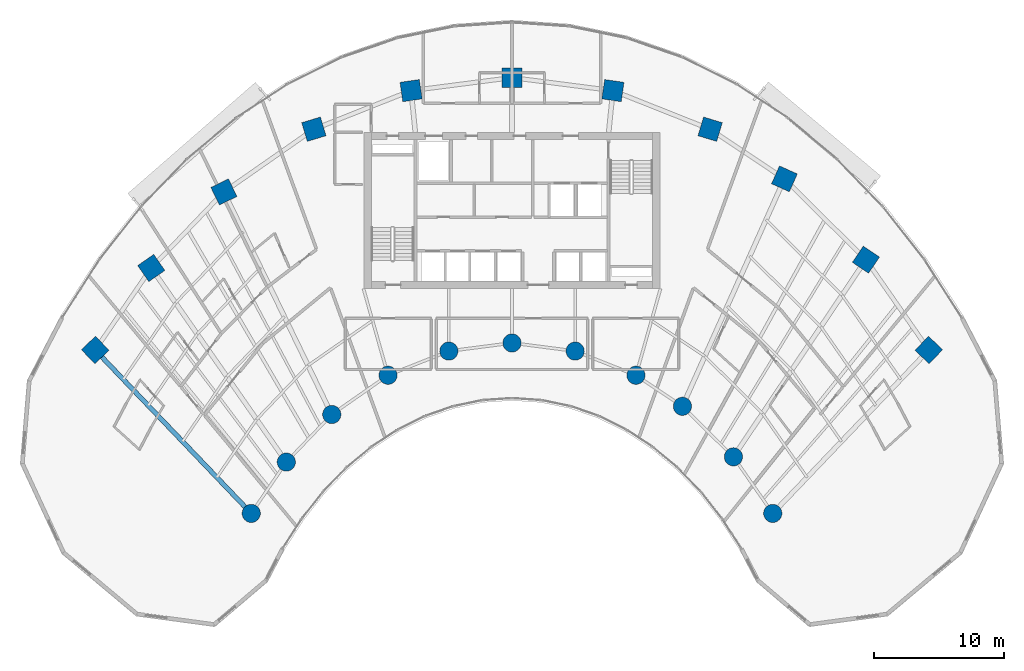
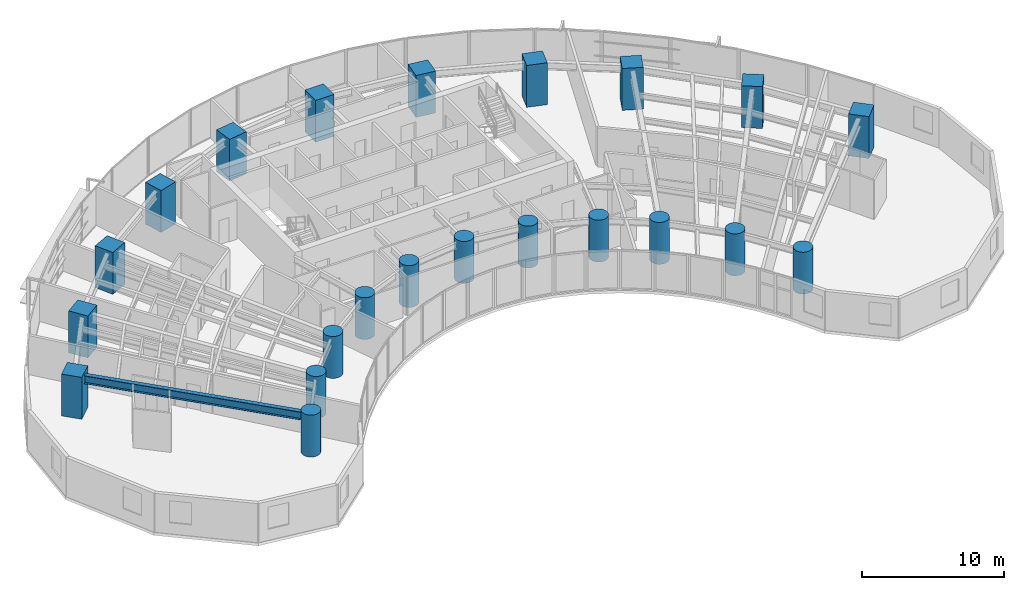
# One storey, part 1 of 17: 22 columns, 1 beam.
"""IFC4 building model written with IfcOpenShell, lengths in metres."""

from ifc_helpers import new_model, si_unit, direction, frame, origin, origin_2d, place, context, subcontext, project, spatial, rectangle, circle, i_section, extrude, source, transform, mapped, material, material_profile, profile_set, type_object, type_shapes, element, save


model = new_model("IFC4")

# Units and contexts
model_context = context("Model", 3, precision=1e-05, world=origin(), true_north=direction((0.0, 1.0)))
body_context = subcontext(model_context, "Body", "Model", "MODEL_VIEW")
ifc_project = project(units=[si_unit("LENGTHUNIT", "METRE"), si_unit("AREAUNIT", "SQUARE_METRE"), si_unit("VOLUMEUNIT", "CUBIC_METRE"), si_unit("PLANEANGLEUNIT", "RADIAN"), si_unit("MASSUNIT", "GRAM", prefix="KILO")], contexts=[model_context])

# Site, building, storey
site_placement = place(None, origin())
site = spatial("IfcSite", under=ifc_project, at=site_placement, CompositionType="ELEMENT")
building_placement = place(site_placement, origin())
building = spatial("IfcBuilding", under=site, at=building_placement, Name="Breltana Convention Tower", CompositionType="ELEMENT")
storey_placement = place(building_placement, frame((0.0, 0.0, 75.0)))
storey = spatial("IfcBuildingStorey", under=building, at=storey_placement, Name="L17", CompositionType="ELEMENT", Elevation=75.0)

# Columns
ifc_material_1 = material(Name="Concrete C60/75", Category="concrete")
ifc_material_profile_1 = material_profile(ifc_material_1, circle(Radius=0.699951171875, at=origin_2d()), Name="RC-COL-D1400")
ifc_profile_set_1 = profile_set([ifc_material_profile_1], Name="Concrete C60/75")
column_type_1 = type_object("IfcColumnType", Name="COL-RC-D1400", PredefinedType="COLUMN", material=ifc_profile_set_1)
shared_shape_1 = source(origin(), body_context, "Body", "SweptSolid", [
    extrude(circle(Radius=0.699951171875, at=origin_2d()), origin(), (0.0, 0.0, 1.0), 3.60009765625),
])
for number, where, z_axis, x_axis, name in (
    (1, (27.984619140625, 42.95458984375, 0.0), (0.0, 0.0, 1.0), (-0.690756218984, 0.723087716626, 0.0), "L17 Tower Column R01-IN"),
    (2, (30.67724609375, 46.892333984375, 0.0), (0.0, 0.0, 1.0), (-0.571143442153, 0.820850271661, 0.0), "L17 Tower Column R02-IN"),
    (3, (34.166259765625, 50.544921875, 0.0), (0.0, 0.0, 1.0), (-0.436173672171, 0.899862504889, 0.0), "L17 Tower Column R03-IN"),
    (4, (38.485107421875, 53.5576171875, 0.0), (0.0, 0.0, 1.0), (-0.288697611798, 0.957420330337, 0.0), "L17 Tower Column R04-IN"),
    (5, (43.153564453125, 55.41064453125, 0.0), (0.0, 0.0, 1.0), (-0.143492621991, 0.98965138682, 0.0), "L17 Tower Column R05-IN"),
    (6, (48.0, 56.035888671875, 0.0), (0.0, 0.0, 1.0), (0.0, 1.0, 0.0), "L17 Tower Column R06-IN"),
    (7, (52.846435546875, 55.41064453125, 0.0), (0.0, 0.0, 1.0), (0.143492621991, 0.98965138682, 0.0), "L17 Tower Column R07-IN"),
    (8, (57.514892578125, 53.5576171875, 0.0), (0.0, 0.0, 1.0), (0.288697611798, 0.957420330337, 0.0), "L17 Tower Column R08-IN"),
    (9, (61.08203125, 51.174560546875, 0.0), (0.0, 0.0, 1.0), (0.409126902895, 0.912477494148, 0.0), "L17 Tower Column R09-IN"),
    (10, (64.995849609375, 47.293701171875, 0.0), (0.0, 0.0, 1.0), (0.55774510898, 0.830012285095, 0.0), "L17 Tower Column R10-IN"),
    (11, (68.015380859375, 42.95458984375, 0.0), (0.0, 0.0, 1.0), (0.690756218984, 0.723087716626, 0.0), "L17 Tower Column R11-IN"),
):
    element("IfcColumn", number, at=place(storey_placement, frame(where, z_axis=z_axis, x_axis=x_axis)), inside=storey, type_object=column_type_1, Name=name, PredefinedType="COLUMN", context=body_context, shape_type="MappedRepresentation", body=[
        mapped(shared_shape_1, transform((0.0, 0.0, 0.0), scale=1.0)),
    ])
ifc_material_profile_2 = material_profile(ifc_material_1, rectangle(XDim=1.5, YDim=1.5, at=origin_2d()), Name="RC-COL-1500X1500")
ifc_profile_set_2 = profile_set([ifc_material_profile_2], Name="Concrete C60/75")
column_type_2 = type_object("IfcColumnType", Name="COL-RC-1500", PredefinedType="COLUMN", material=ifc_profile_set_2)
shared_shape_2 = source(origin(), body_context, "Body", "SweptSolid", [
    extrude(rectangle(XDim=1.5, YDim=1.5, at=origin_2d()), origin(), (0.0, 0.0, 1.0), 3.60009765625),
])
for number, where, z_axis, x_axis, name in (
    (12, (16.0068359375, 55.494384765625, 0.0), (0.0, 0.0, 1.0), (-0.690756218984, 0.723087716626, 0.0), "L17 Tower Column R01-OUT"),
    (13, (20.310791015625, 61.78857421875, 0.0), (0.0, 0.0, 1.0), (-0.571143442153, 0.820850271661, 0.0), "L17 Tower Column R02-OUT"),
    (14, (25.8876953125, 67.626953125, 0.0), (0.0, 0.0, 1.0), (-0.436173672171, 0.899862504889, 0.0), "L17 Tower Column R03-OUT"),
    (15, (32.791015625, 72.4423828125, 0.0), (0.0, 0.0, 1.0), (-0.288697611798, 0.957420330337, 0.0), "L17 Tower Column R04-OUT"),
    (16, (40.253173828125, 75.404296875, 0.0), (0.0, 0.0, 1.0), (-0.143492621991, 0.98965138682, 0.0), "L17 Tower Column R05-OUT"),
    (17, (48.0, 76.404052734375, 0.0), (0.0, 0.0, 1.0), (0.0, 1.0, 0.0), "L17 Tower Column R06-OUT"),
    (18, (55.746826171875, 75.404296875, 0.0), (0.0, 0.0, 1.0), (0.143492621991, 0.98965138682, 0.0), "L17 Tower Column R07-OUT"),
    (19, (63.208984375, 72.4423828125, 0.0), (0.0, 0.0, 1.0), (0.288697611798, 0.957420330337, 0.0), "L17 Tower Column R08-OUT"),
    (20, (68.910400390625, 68.63330078125, 0.0), (0.0, 0.0, 1.0), (0.409126902895, 0.912477494148, 0.0), "L17 Tower Column R09-OUT"),
    (21, (75.166748046875, 62.43017578125, 0.0), (0.0, 0.0, 1.0), (0.55774510898, 0.830012285095, 0.0), "L17 Tower Column R10-OUT"),
    (22, (79.9931640625, 55.494384765625, 0.0), (0.0, 0.0, 1.0), (0.690756218984, 0.723087716626, 0.0), "L17 Tower Column R11-OUT"),
):
    element("IfcColumn", number, at=place(storey_placement, frame(where, z_axis=z_axis, x_axis=x_axis)), inside=storey, type_object=column_type_2, Name=name, PredefinedType="COLUMN", context=body_context, shape_type="MappedRepresentation", body=[
        mapped(shared_shape_2, transform((0.0, 0.0, 0.0), scale=1.0)),
    ])

# Beam
ifc_material_2 = material(Name="Steel ASTM A992 Grade 50", Category="steel")
ifc_material_profile_3 = material_profile(ifc_material_2, i_section(OverallWidth=0.35498046875, OverallDepth=0.696044921875, WebThickness=0.015380859375, FlangeThickness=0.02490234375, at=origin_2d()), Name="W27X146")
ifc_profile_set_3 = profile_set([ifc_material_profile_3], Name="Steel ASTM A992 Grade 50")
beam_type = type_object("IfcBeamType", Name="BM-RG-W27X146", PredefinedType="USERDEFINED", material=ifc_profile_set_3)
shared_shape_3 = source(origin(), body_context, "Body", "SweptSolid", [
    extrude(i_section(OverallWidth=0.35498046875, OverallDepth=0.696044921875, WebThickness=0.015380859375, FlangeThickness=0.02490234375, at=origin_2d()), origin(), (0.0, 0.0, 1.0), 17.341064453125),
])
type_shapes(beam_type, [shared_shape_3])
beam_placement = place(storey_placement, frame((27.984619140625, 42.95458984375, 3.011962890625), z_axis=(-0.690716462293, 0.723125693581, 0.0), x_axis=(-0.723125693581, -0.690716462293, 0.0)))
element("IfcBeam", 23, at=beam_placement, inside=storey, type_object=beam_type, Name="L17 Radial Floor Girder R01", ObjectType="GIRDER", PredefinedType="USERDEFINED", context=body_context, shape_type="MappedRepresentation", body=[
    mapped(shared_shape_3, transform((0.0, 0.0, 0.0), scale=1.0)),
])

save(model, "model.ifc")
